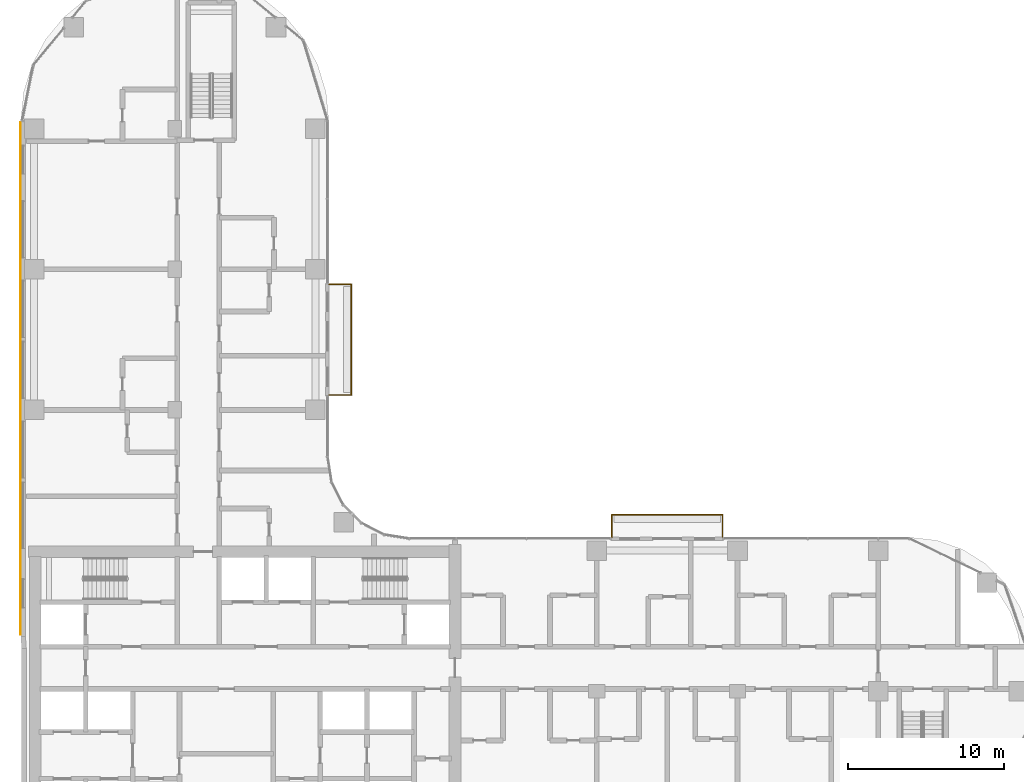
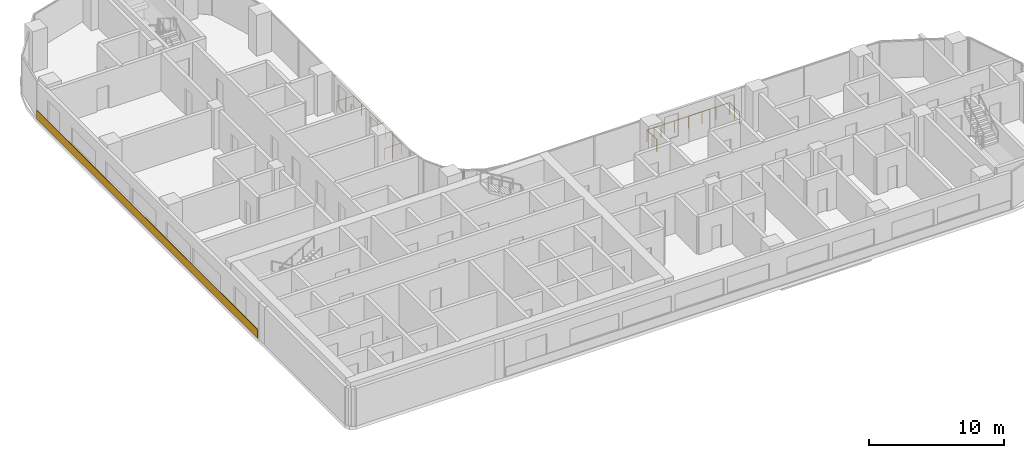
# One storey, part 33 of 35: 2 railings, 1 covering.
"""IFC4 building model written with IfcOpenShell, lengths in metres."""

from ifc_helpers import new_model, si_unit, direction, frame, origin, origin_2d, place, context, subcontext, project, spatial, rectangle, circle, extrude, material, layer, layer_set, type_object, element, save


model = new_model("IFC4")

# Units and contexts
model_context = context("Model", 3, precision=1e-05, world=origin(), true_north=direction((0.0, 1.0)))
body_context = subcontext(model_context, "Body", "Model", "MODEL_VIEW")
ifc_project = project(units=[si_unit("LENGTHUNIT", "METRE"), si_unit("AREAUNIT", "SQUARE_METRE"), si_unit("VOLUMEUNIT", "CUBIC_METRE"), si_unit("PLANEANGLEUNIT", "RADIAN"), si_unit("MASSUNIT", "GRAM", prefix="KILO")], contexts=[model_context])

# Site, building, storey
site_placement = place(None, origin())
site = spatial("IfcSite", under=ifc_project, at=site_placement, CompositionType="ELEMENT")
building_placement = place(site_placement, origin())
building = spatial("IfcBuilding", under=site, at=building_placement, Name="Ogive Portal Towers", CompositionType="ELEMENT")
storey_placement = place(building_placement, frame((0.0, 0.0, 90.800048828125)))
storey = spatial("IfcBuildingStorey", under=building, at=storey_placement, Name="L21", CompositionType="ELEMENT", Elevation=90.800048828125)

# Railings
ifc_material_1 = material(Name="Steel S355", Category="steel")
railing_type = type_object("IfcRailingType", Name="BALUSTRADE GLASS 1100", PredefinedType="BALUSTRADE", material=ifc_material_1)
railing_1_placement = place(storey_placement, frame((68.4599609375, 40.35498046875, 0.0)))
element("IfcRailing", 1, at=railing_1_placement, inside=storey, type_object=railing_type, Name="A:L21:bal:T2:rail", PredefinedType="BALUSTRADE", context=body_context, shape_type="SweptSolid", body=[
    extrude(circle(Radius=0.02392578125, at=origin_2d()), frame((0.0, 0.0, 1.076171875), z_axis=(0.0, 1.0, 0.0), x_axis=(-1.0, 0.0, 0.0)), (0.0, 0.0, 1.0), 1.43994140625),
    extrude(circle(Radius=0.02392578125, at=origin_2d()), frame((0.0, 1.43994140625, 1.076171875), z_axis=(1.0, 0.0, 0.0), x_axis=(0.0, 1.0, 0.0)), (0.0, 0.0, 1.0), 7.080078125),
    extrude(circle(Radius=0.02392578125, at=origin_2d()), frame((7.080078125, 1.43994140625, 1.076171875), z_axis=(0.0, -1.0, 0.0), x_axis=(1.0, 0.0, 0.0)), (0.0, 0.0, 1.0), 1.43994140625),
    extrude(circle(Radius=0.02099609375, at=origin_2d()), origin(), (0.0, 0.0, 1.0), 1.052001953125),
    extrude(circle(Radius=0.02099609375, at=origin_2d()), frame((0.0, 0.719970703125, 0.0)), (0.0, 0.0, 1.0), 1.052001953125),
    extrude(circle(Radius=0.02099609375, at=origin_2d()), frame((0.0, 1.43994140625, 0.0)), (0.0, 0.0, 1.0), 1.052001953125),
    extrude(circle(Radius=0.02099609375, at=origin_2d()), frame((1.179931640625, 1.43994140625, 0.0)), (0.0, 0.0, 1.0), 1.052001953125),
    extrude(circle(Radius=0.02099609375, at=origin_2d()), frame((2.360107421875, 1.43994140625, 0.0)), (0.0, 0.0, 1.0), 1.052001953125),
    extrude(circle(Radius=0.02099609375, at=origin_2d()), frame((3.5400390625, 1.43994140625, 0.0)), (0.0, 0.0, 1.0), 1.052001953125),
    extrude(circle(Radius=0.02099609375, at=origin_2d()), frame((4.719970703125, 1.43994140625, 0.0)), (0.0, 0.0, 1.0), 1.052001953125),
    extrude(circle(Radius=0.02099609375, at=origin_2d()), frame((5.900146484375, 1.43994140625, 0.0)), (0.0, 0.0, 1.0), 1.052001953125),
    extrude(circle(Radius=0.02099609375, at=origin_2d()), frame((7.080078125, 1.43994140625, 0.0)), (0.0, 0.0, 1.0), 1.052001953125),
    extrude(circle(Radius=0.02099609375, at=origin_2d()), frame((7.080078125, 0.719970703125, 0.0)), (0.0, 0.0, 1.0), 1.052001953125),
    extrude(circle(Radius=0.02099609375, at=origin_2d()), frame((7.080078125, 0.0, 0.0)), (0.0, 0.0, 1.0), 1.052001953125),
])
railing_2_placement = place(storey_placement, frame((50.35498046875, 49.4599609375, 0.0)))
element("IfcRailing", 2, at=railing_2_placement, inside=storey, type_object=railing_type, Name="A:L21:bal:S1:rail", PredefinedType="BALUSTRADE", context=body_context, shape_type="SweptSolid", body=[
    extrude(circle(Radius=0.02392578125, at=origin_2d()), frame((0.0, 0.0, 1.076171875), z_axis=(1.0, 0.0, 0.0), x_axis=(0.0, 1.0, 0.0)), (0.0, 0.0, 1.0), 1.43994140625),
    extrude(circle(Radius=0.02392578125, at=origin_2d()), frame((1.43994140625, 0.0, 1.076171875), z_axis=(0.0, 1.0, 0.0), x_axis=(-1.0, 0.0, 0.0)), (0.0, 0.0, 1.0), 7.080078125),
    extrude(circle(Radius=0.02392578125, at=origin_2d()), frame((1.43994140625, 7.080078125, 1.076171875), z_axis=(-1.0, 0.0, 0.0), x_axis=(0.0, -1.0, 0.0)), (0.0, 0.0, 1.0), 1.43994140625),
    extrude(circle(Radius=0.02099609375, at=origin_2d()), origin(), (0.0, 0.0, 1.0), 1.052001953125),
    extrude(circle(Radius=0.02099609375, at=origin_2d()), frame((0.719970703125, 0.0, 0.0)), (0.0, 0.0, 1.0), 1.052001953125),
    extrude(circle(Radius=0.02099609375, at=origin_2d()), frame((1.43994140625, 0.0, 0.0)), (0.0, 0.0, 1.0), 1.052001953125),
    extrude(circle(Radius=0.02099609375, at=origin_2d()), frame((1.43994140625, 1.179931640625, 0.0)), (0.0, 0.0, 1.0), 1.052001953125),
    extrude(circle(Radius=0.02099609375, at=origin_2d()), frame((1.43994140625, 2.360107421875, 0.0)), (0.0, 0.0, 1.0), 1.052001953125),
    extrude(circle(Radius=0.02099609375, at=origin_2d()), frame((1.43994140625, 3.5400390625, 0.0)), (0.0, 0.0, 1.0), 1.052001953125),
    extrude(circle(Radius=0.02099609375, at=origin_2d()), frame((1.43994140625, 4.719970703125, 0.0)), (0.0, 0.0, 1.0), 1.052001953125),
    extrude(circle(Radius=0.02099609375, at=origin_2d()), frame((1.43994140625, 5.900146484375, 0.0)), (0.0, 0.0, 1.0), 1.052001953125),
    extrude(circle(Radius=0.02099609375, at=origin_2d()), frame((1.43994140625, 7.080078125, 0.0)), (0.0, 0.0, 1.0), 1.052001953125),
    extrude(circle(Radius=0.02099609375, at=origin_2d()), frame((0.719970703125, 7.080078125, 0.0)), (0.0, 0.0, 1.0), 1.052001953125),
    extrude(circle(Radius=0.02099609375, at=origin_2d()), frame((0.0, 7.080078125, 0.0)), (0.0, 0.0, 1.0), 1.052001953125),
])

# Covering
ifc_material_2 = material(Name="Limestone cladding on lightweight block wall", Category="masonry")
ifc_layer = layer(ifc_material_2, 0.050048828125)
ifc_layer_set = layer_set([ifc_layer], Name="SCREEN PERFORATED STONE")
covering_type = type_object("IfcCoveringType", Name="SCREEN PERFORATED STONE", PredefinedType="CLADDING", material=ifc_layer_set)
covering_placement = place(storey_placement, frame((30.6201171875, 50.50146484375, 0.10009765625), z_axis=(0.0, 0.0, 1.0), x_axis=(0.0, -1.0, 0.0)))
element("IfcCovering", 3, at=covering_placement, inside=storey, type_object=covering_type, Name="Tracery screen", PredefinedType="CLADDING", context=body_context, shape_type="SweptSolid", body=[
    extrude(rectangle(XDim=32.781494140625, YDim=0.050048828125, at=origin_2d()), origin(), (0.0, 0.0, 1.0), 0.800048828125),
])

save(model, "model.ifc")
